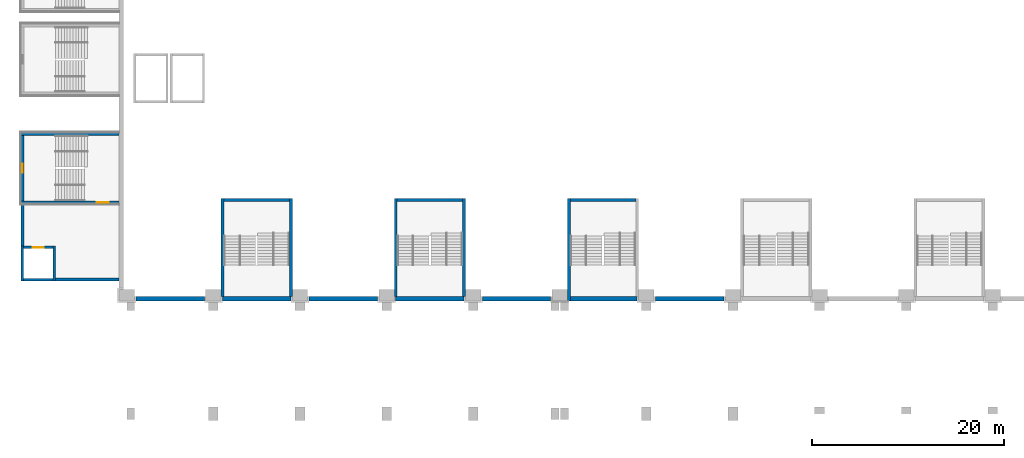
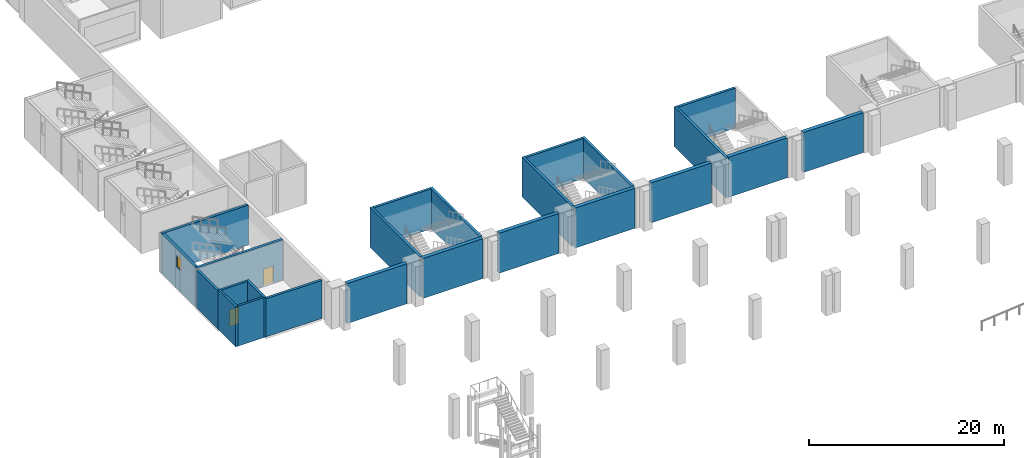
# One storey, part 34 of 67: 24 walls, 2 doors, 1 window, 3 openings.
"""IFC4 building model written with IfcOpenShell, lengths in metres."""

from ifc_helpers import new_model, si_unit, direction, frame, frame_2d, origin, place, context, subcontext, project, spatial, rectangle, extrude, material, layer, layer_set, type_object, element, fill, save


model = new_model("IFC4")

# Units and contexts
model_context = context("Model", 3, precision=1e-05, world=origin(), true_north=direction((0.0, 1.0)))
body_context = subcontext(model_context, "Body", "Model", "MODEL_VIEW")
ifc_project = project(units=[si_unit("LENGTHUNIT", "METRE"), si_unit("AREAUNIT", "SQUARE_METRE"), si_unit("VOLUMEUNIT", "CUBIC_METRE"), si_unit("PLANEANGLEUNIT", "RADIAN"), si_unit("MASSUNIT", "GRAM", prefix="KILO")], contexts=[model_context])

# Site, building, storey
site_placement = place(None, origin())
site = spatial("IfcSite", under=ifc_project, at=site_placement, CompositionType="ELEMENT")
building_placement = place(site_placement, origin())
building = spatial("IfcBuilding", under=site, at=building_placement, Name="Aravalli Gate Trade Fair Centre", CompositionType="ELEMENT")
storey_placement = place(building_placement, frame((0.0, 0.0, 5.0)))
storey = spatial("IfcBuildingStorey", under=building, at=storey_placement, Name="L01", CompositionType="ELEMENT", Elevation=5.0)

# Walls
ifc_material_1 = material(Name="Concrete M40", Category="concrete")
ifc_layer_1 = layer(ifc_material_1, 0.300048828125)
ifc_layer_set_1 = layer_set([ifc_layer_1], Name="Concrete M40")
wall_type_1 = type_object("IfcWallType", Name="Firefighting block wall RC 300", PredefinedType="SHEAR", material=ifc_layer_set_1)
wall_1_placement = place(storey_placement, frame((-4.85009765625, 51.10009765625, 0.0), z_axis=(0.0, 0.0, 1.0), x_axis=(0.0, 1.0, 0.0)))
element("IfcWall", 1, at=wall_1_placement, inside=storey, type_object=wall_type_1, Name="Firefighting lobby west wall L01", PredefinedType="SHEAR", context=body_context, shape_type="SweptSolid", body=[
    extrude(rectangle(XDim=4.39990234375, YDim=0.300048828125, at=frame_2d((2.199951171875, 0.0))), origin(), (0.0, 0.0, 1.0), 4.75),
])
wall_2_placement = place(storey_placement, frame((-1.39990234375, 47.64990234375, 0.0), z_axis=(0.0, 0.0, 1.0), x_axis=(1.0, 0.0, 0.0)))
element("IfcWall", 2, at=wall_2_placement, inside=storey, type_object=wall_type_1, Name="Firefighting lobby south wall L01", PredefinedType="SHEAR", context=body_context, shape_type="SweptSolid", body=[
    extrude(rectangle(XDim=6.599853515625, YDim=0.300048828125, at=frame_2d((3.2998046875, 0.0))), origin(), (0.0, 0.0, 1.0), 4.75),
])
ifc_layer_2 = layer(ifc_material_1, 0.25)
ifc_layer_set_2 = layer_set([ifc_layer_2], Name="Concrete M40")
wall_type_2 = type_object("IfcWallType", Name="Firefighting shaft wall RC 250", PredefinedType="SHEAR", material=ifc_layer_set_2)
for number, where, z_axis, x_axis, name in (
    (3, (-4.875, 47.5, 0.0), (0.0, 0.0, 1.0), (0.0, 1.0, 0.0), "Firefighting lift shaft wall W L01"),
    (4, (-1.52490234375, 47.5, 0.0), (0.0, 0.0, 1.0), (0.0, 1.0, 0.0), "Firefighting lift shaft wall E L01"),
):
    element("IfcWall", number, at=place(storey_placement, frame(where, z_axis=z_axis, x_axis=x_axis)), inside=storey, type_object=wall_type_2, Name=name, PredefinedType="SHEAR", context=body_context, shape_type="SweptSolid", body=[
        extrude(rectangle(XDim=3.60009765625, YDim=0.25, at=frame_2d((1.800048828125, 0.0))), origin(), (0.0, 0.0, 1.0), 5.0),
    ])

# Wall, opening, door
wall_3_placement = place(storey_placement, frame((-4.75, 50.97509765625, 0.0), z_axis=(0.0, 0.0, 1.0), x_axis=(1.0, 0.0, 0.0)))
wall_3 = element("IfcWall", 5, at=wall_3_placement, inside=storey, type_object=wall_type_2, Name="Firefighting lift shaft wall F L01", PredefinedType="SHEAR", context=body_context, shape_type="SweptSolid", body=[
    extrude(rectangle(XDim=3.10009765625, YDim=0.25, at=frame_2d((1.550048828125, 0.0))), origin(), (0.0, 0.0, 1.0), 5.0),
])
opening_1_placement = place(wall_3_placement, frame((1.0, 0.0, 0.0)))
opening_1 = element("IfcOpeningElement", 6, at=opening_1_placement, cuts=wall_3, Name="Opening H-L01-13", PredefinedType="OPENING", context=body_context, shape_type="SweptSolid", body=[
    extrude(rectangle(XDim=1.10009765625, YDim=2.10009765625, at=frame_2d((0.550048828125, 1.050048828125))), frame((0.0, 0.135009765625, 0.0), z_axis=(0.0, -1.0, 0.0), x_axis=(1.0, 0.0, 0.0)), (0.0, 0.0, 1.0), 0.27001953125),
])
ifc_material_2 = material(Name="Steel", Category="steel")
door_type_1 = type_object("IfcDoorType", Name="Firefighting lift landing door", OperationType="SLIDING_TO_LEFT", PredefinedType="DOOR", material=ifc_material_2)
door_1_placement = place(opening_1_placement, origin())
door_1 = element("IfcDoor", 7, at=door_1_placement, inside=storey, type_object=door_type_1, Name="Firefighting lift landing door L01", OperationType="SLIDING_TO_LEFT", OverallHeight=2.10009765625, OverallWidth=1.10009765625, PredefinedType="DOOR", context=body_context, shape_type="SweptSolid", body=[
    extrude(rectangle(XDim=1.10009765625, YDim=2.10009765625, at=frame_2d((0.550048828125, 1.050048828125))), frame((0.0, 0.02490234375, 0.0), z_axis=(0.0, -1.0, 0.0), x_axis=(1.0, 0.0, 0.0)), (0.0, 0.0, 1.0), 0.050048828125),
])
fill(opening_1, door_1)

# Walls
wall_4_placement = place(storey_placement, frame((-4.75, 47.625, 0.0), z_axis=(0.0, 0.0, 1.0), x_axis=(1.0, 0.0, 0.0)))
element("IfcWall", 8, at=wall_4_placement, inside=storey, type_object=wall_type_2, Name="Firefighting lift shaft wall B L01", PredefinedType="SHEAR", context=body_context, shape_type="SweptSolid", body=[
    extrude(rectangle(XDim=3.10009765625, YDim=0.25, at=frame_2d((1.550048828125, 0.0))), origin(), (0.0, 0.0, 1.0), 5.0),
])
ifc_layer_3 = layer(ifc_material_1, 0.25, Name="Structural wall")
ifc_material_3 = material(Name="Ventilated air cavity")
ifc_layer_4 = layer(ifc_material_3, 0.10009765625, ventilated=True, Name="Ventilated cavity")
ifc_material_4 = material(Name="Terracotta rainscreen", Category="masonry")
ifc_layer_5 = layer(ifc_material_4, 0.10009765625, Name="Rainscreen cladding")
ifc_layer_set_3 = layer_set([ifc_layer_3, ifc_layer_4, ifc_layer_5], Name="Hall external wall 450")
wall_type_3 = type_object("IfcWallType", Name="Hall external wall 450", PredefinedType="SOLIDWALL", material=ifc_layer_set_3)
for number, where, z_axis, x_axis, name in (
    (9, (6.949951171875, 45.625, 0.0), (0.0, 0.0, 1.0), (1.0, 0.0, 0.0), "Hall south wall bay 1 L01"),
    (10, (15.949951171875, 45.625, 0.0), (0.0, 0.0, 1.0), (1.0, 0.0, 0.0), "Hall south wall bay 2 L01"),
    (11, (24.949951171875, 45.625, 0.0), (0.0, 0.0, 1.0), (1.0, 0.0, 0.0), "Hall south wall bay 3 L01"),
    (12, (33.949951171875, 45.625, 0.0), (0.0, 0.0, 1.0), (1.0, 0.0, 0.0), "Hall south wall bay 4 L01"),
    (13, (42.949951171875, 45.625, 0.0), (0.0, 0.0, 1.0), (1.0, 0.0, 0.0), "Hall south wall bay 5 L01"),
):
    element("IfcWall", number, at=place(storey_placement, frame(where, z_axis=z_axis, x_axis=x_axis)), inside=storey, type_object=wall_type_3, Name=name, PredefinedType="SOLIDWALL", context=body_context, shape_type="SweptSolid", body=[
        extrude(rectangle(XDim=7.10009765625, YDim=0.449951171875, at=frame_2d((3.550048828125, 0.0))), origin(), (0.0, 0.0, 1.0), 5.0),
    ])
wall_5_placement = place(storey_placement, frame((52.10009765625, 45.625, 0.0), z_axis=(0.0, 0.0, 1.0), x_axis=(1.0, 0.0, 0.0)))
element("IfcWall", 14, at=wall_5_placement, inside=storey, type_object=wall_type_3, Name="Hall south wall bay 6 L01", PredefinedType="SOLIDWALL", context=body_context, shape_type="SweptSolid", body=[
    extrude(rectangle(XDim=6.949951171875, YDim=0.449951171875, at=frame_2d((3.47509765625, 0.0))), origin(), (0.0, 0.0, 1.0), 5.0),
])
wall_6_placement = place(storey_placement, frame((60.949951171875, 45.625, 0.0), z_axis=(0.0, 0.0, 1.0), x_axis=(1.0, 0.0, 0.0)))
element("IfcWall", 15, at=wall_6_placement, inside=storey, type_object=wall_type_3, Name="Hall south wall bay 7 L01", PredefinedType="SOLIDWALL", context=body_context, shape_type="SweptSolid", body=[
    extrude(rectangle(XDim=7.10009765625, YDim=0.449951171875, at=frame_2d((3.550048828125, 0.0))), origin(), (0.0, 0.0, 1.0), 5.0),
])
ifc_layer_6 = layer(ifc_material_1, 0.300048828125)
ifc_layer_set_4 = layer_set([ifc_layer_6], Name="Concrete M40")
wall_type_4 = type_object("IfcWallType", Name="Stair tower wall RC 300", PredefinedType="SHEAR", material=ifc_layer_set_4)
for number, where, z_axis, x_axis, name in (
    (16, (15.949951171875, 45.85009765625, 0.0), (0.0, 0.0, 1.0), (0.0, 1.0, 0.0), "Stair tower S02 wall W L01"),
    (17, (23.050048828125, 45.85009765625, 0.0), (0.0, 0.0, 1.0), (0.0, 1.0, 0.0), "Stair tower S02 wall E L01"),
):
    element("IfcWall", number, at=place(storey_placement, frame(where, z_axis=z_axis, x_axis=x_axis)), inside=storey, type_object=wall_type_4, Name=name, PredefinedType="SHEAR", context=body_context, shape_type="SweptSolid", body=[
        extrude(rectangle(XDim=10.199951171875, YDim=0.300048828125, at=frame_2d((5.10009765625, 0.0))), origin(), (0.0, 0.0, 1.0), 5.0),
    ])
wall_7_placement = place(storey_placement, frame((16.10009765625, 55.89990234375, 0.0), z_axis=(0.0, 0.0, 1.0), x_axis=(1.0, 0.0, 0.0)))
element("IfcWall", 18, at=wall_7_placement, inside=storey, type_object=wall_type_4, Name="Stair tower S02 wall F L01", PredefinedType="SHEAR", context=body_context, shape_type="SweptSolid", body=[
    extrude(rectangle(XDim=6.7998046875, YDim=0.300048828125, at=frame_2d((3.39990234375, 0.0))), origin(), (0.0, 0.0, 1.0), 5.0),
])
for number, where, z_axis, x_axis, name in (
    (19, (33.949951171875, 45.85009765625, 0.0), (0.0, 0.0, 1.0), (0.0, 1.0, 0.0), "Stair tower S04 wall W L01"),
    (20, (41.050048828125, 45.85009765625, 0.0), (0.0, 0.0, 1.0), (0.0, 1.0, 0.0), "Stair tower S04 wall E L01"),
):
    element("IfcWall", number, at=place(storey_placement, frame(where, z_axis=z_axis, x_axis=x_axis)), inside=storey, type_object=wall_type_4, Name=name, PredefinedType="SHEAR", context=body_context, shape_type="SweptSolid", body=[
        extrude(rectangle(XDim=10.199951171875, YDim=0.300048828125, at=frame_2d((5.10009765625, 0.0))), origin(), (0.0, 0.0, 1.0), 5.0),
    ])
wall_8_placement = place(storey_placement, frame((34.10009765625, 55.89990234375, 0.0), z_axis=(0.0, 0.0, 1.0), x_axis=(1.0, 0.0, 0.0)))
element("IfcWall", 21, at=wall_8_placement, inside=storey, type_object=wall_type_4, Name="Stair tower S04 wall F L01", PredefinedType="SHEAR", context=body_context, shape_type="SweptSolid", body=[
    extrude(rectangle(XDim=6.7998046875, YDim=0.300048828125, at=frame_2d((3.39990234375, 0.0))), origin(), (0.0, 0.0, 1.0), 5.0),
])
wall_9_placement = place(storey_placement, frame((51.949951171875, 45.39990234375, 0.0), z_axis=(0.0, 0.0, 1.0), x_axis=(0.0, 1.0, 0.0)))
element("IfcWall", 22, at=wall_9_placement, inside=storey, type_object=wall_type_4, Name="Stair tower S06 wall W L01", PredefinedType="SHEAR", context=body_context, shape_type="SweptSolid", body=[
    extrude(rectangle(XDim=10.650146484375, YDim=0.300048828125, at=frame_2d((5.3251953125, 0.0))), origin(), (0.0, 0.0, 1.0), 5.0),
])
wall_10_placement = place(storey_placement, frame((52.10009765625, 55.89990234375, 0.0), z_axis=(0.0, 0.0, 1.0), x_axis=(1.0, 0.0, 0.0)))
element("IfcWall", 23, at=wall_10_placement, inside=storey, type_object=wall_type_4, Name="Stair tower S06 wall F L01", PredefinedType="SHEAR", context=body_context, shape_type="SweptSolid", body=[
    extrude(rectangle(XDim=6.7998046875, YDim=0.300048828125, at=frame_2d((3.39990234375, 0.0))), origin(), (0.0, 0.0, 1.0), 5.0),
])

# Wall, opening, door
wall_11_placement = place(storey_placement, frame((5.199951171875, 55.64990234375, 0.0), z_axis=(0.0, 0.0, 1.0), x_axis=(-1.0, 0.0, 0.0)))
wall_11 = element("IfcWall", 24, at=wall_11_placement, inside=storey, type_object=wall_type_4, Name="Stair tower W1 wall W L01", PredefinedType="SHEAR", context=body_context, shape_type="SweptSolid", body=[
    extrude(rectangle(XDim=10.199951171875, YDim=0.300048828125, at=frame_2d((5.10009765625, 0.0))), origin(), (0.0, 0.0, 1.0), 5.0),
])
opening_2_placement = place(wall_11_placement, frame((1.10009765625, 0.0, 0.0)))
opening_2 = element("IfcOpeningElement", 25, at=opening_2_placement, cuts=wall_11, Name="Opening H-L01-12", PredefinedType="OPENING", context=body_context, shape_type="SweptSolid", body=[
    extrude(rectangle(XDim=1.199951171875, YDim=2.10009765625, at=frame_2d((0.60009765625, 1.050048828125))), frame((0.0, 0.159912109375, 0.0), z_axis=(0.0, -1.0, 0.0), x_axis=(1.0, 0.0, 0.0)), (0.0, 0.0, 1.0), 0.320068359375),
])
door_type_2 = type_object("IfcDoorType", Name="Firefighting lobby door FD120", OperationType="SINGLE_SWING_LEFT", PredefinedType="DOOR", material=ifc_material_2)
door_2_placement = place(opening_2_placement, frame((1.199951171875, 0.0, 0.0), z_axis=(0.0, 0.0, 1.0), x_axis=(-1.0, 0.0, 0.0)))
door_2 = element("IfcDoor", 26, at=door_2_placement, inside=storey, type_object=door_type_2, Name="Firefighting lobby door L01 stair", OperationType="SINGLE_SWING_RIGHT", OverallHeight=2.10009765625, OverallWidth=1.199951171875, PredefinedType="DOOR", context=body_context, shape_type="SweptSolid", body=[
    extrude(rectangle(XDim=1.199951171875, YDim=2.10009765625, at=frame_2d((0.60009765625, 1.050048828125))), frame((0.0, 0.02490234375, 0.0), z_axis=(0.0, -1.0, 0.0), x_axis=(1.0, 0.0, 0.0)), (0.0, 0.0, 1.0), 0.050048828125),
])
fill(opening_2, door_2)

# Wall
wall_12_placement = place(storey_placement, frame((5.199951171875, 62.75, 0.0), z_axis=(0.0, 0.0, 1.0), x_axis=(-1.0, 0.0, 0.0)))
element("IfcWall", 27, at=wall_12_placement, inside=storey, type_object=wall_type_4, Name="Stair tower W1 wall E L01", PredefinedType="SHEAR", context=body_context, shape_type="SweptSolid", body=[
    extrude(rectangle(XDim=10.199951171875, YDim=0.300048828125, at=frame_2d((5.10009765625, 0.0))), origin(), (0.0, 0.0, 1.0), 5.0),
])

# Wall, opening, window
wall_13_placement = place(storey_placement, frame((-4.85009765625, 55.800048828125, 0.0), z_axis=(0.0, 0.0, 1.0), x_axis=(0.0, 1.0, 0.0)))
wall_13 = element("IfcWall", 28, at=wall_13_placement, inside=storey, type_object=wall_type_4, Name="Stair tower W1 wall F L01", PredefinedType="SHEAR", context=body_context, shape_type="SweptSolid", body=[
    extrude(rectangle(XDim=6.800048828125, YDim=0.300048828125, at=frame_2d((3.39990234375, 0.0))), origin(), (0.0, 0.0, 1.0), 5.0),
])
opening_3_placement = place(wall_13_placement, frame((2.949951171875, 0.0, 2.669921875)))
opening_3 = element("IfcOpeningElement", 29, at=opening_3_placement, cuts=wall_13, Name="Opening LW1", PredefinedType="OPENING", context=body_context, shape_type="SweptSolid", body=[
    extrude(rectangle(XDim=0.89990234375, YDim=1.5, at=frame_2d((0.449951171875, 0.75))), frame((0.0, 0.159912109375, 0.0), z_axis=(0.0, -1.0, 0.0), x_axis=(1.0, 0.0, 0.0)), (0.0, 0.0, 1.0), 0.320068359375),
])
ifc_material_5 = material(Name="Fire-resistant glazing", Category="glass")
window_type = type_object("IfcWindowType", Name="Stair landing window FRG 900x1500", PartitioningType="SINGLE_PANEL", PredefinedType="WINDOW", material=ifc_material_5)
window_placement = place(opening_3_placement, origin())
window = element("IfcWindow", 30, at=window_placement, inside=storey, type_object=window_type, Name="Stair landing window W1 L01", OverallHeight=1.5, OverallWidth=0.89990234375, PartitioningType="SINGLE_PANEL", PredefinedType="WINDOW", context=body_context, shape_type="SweptSolid", body=[
    extrude(rectangle(XDim=0.89990234375, YDim=1.5, at=frame_2d((0.449951171875, 0.75))), frame((0.0, 0.030029296875, 0.0), z_axis=(0.0, -1.0, 0.0), x_axis=(1.0, 0.0, 0.0)), (0.0, 0.0, 1.0), 0.06005859375),
])
fill(opening_3, window)

save(model, "model.ifc")
